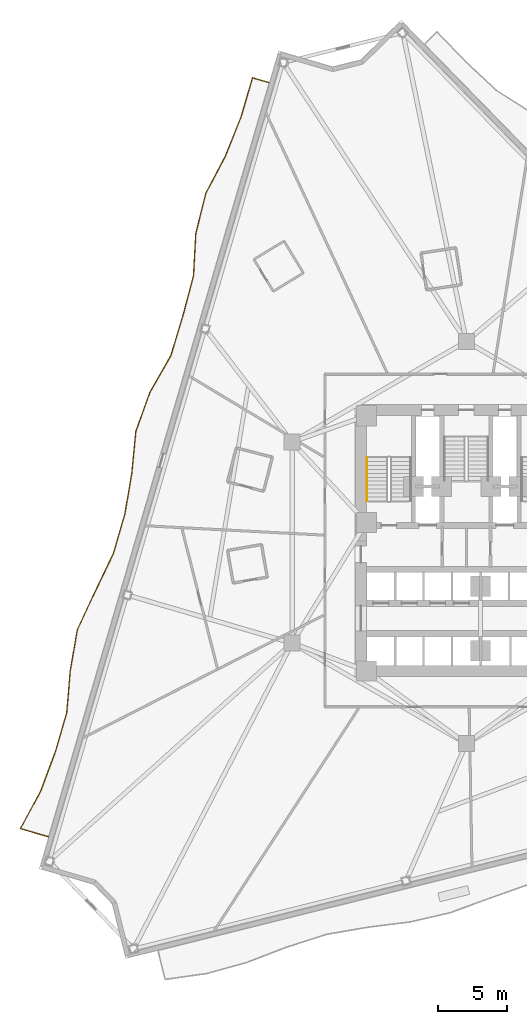
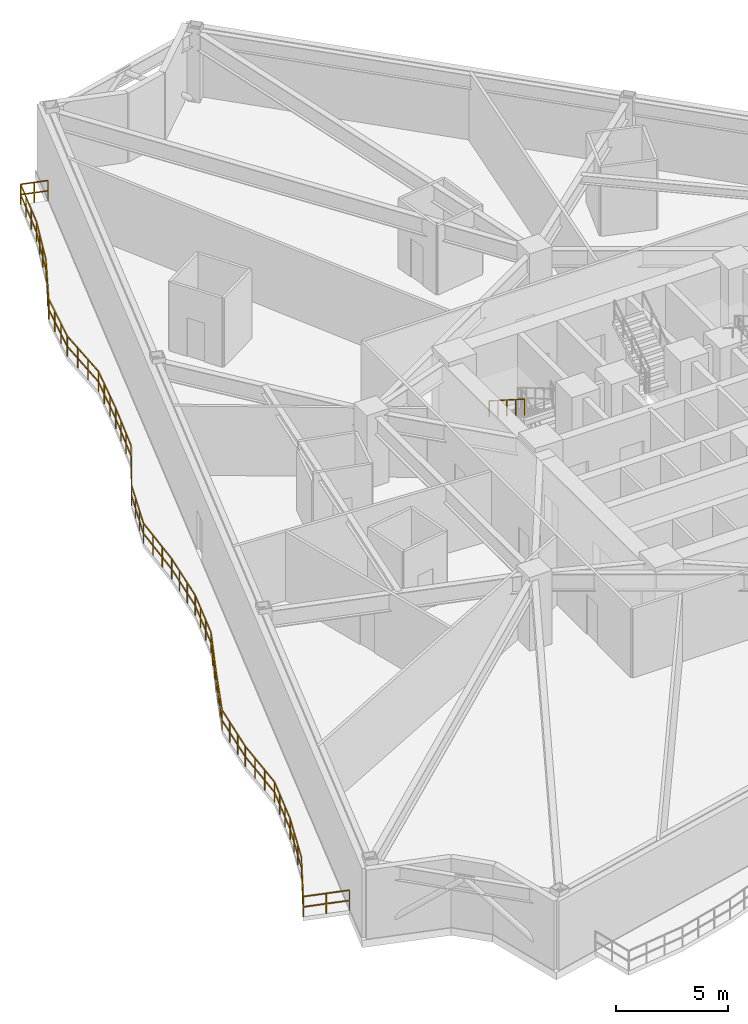
# One storey, part 11 of 13: 2 railings.
"""IFC4 building model written with IfcOpenShell, lengths in metres."""

from ifc_helpers import new_model, si_unit, direction, frame, origin, origin_2d, place, context, subcontext, project, spatial, rectangle, extrude, material, type_object, element, save


model = new_model("IFC4")

# Units and contexts
model_context = context("Model", 3, precision=1e-05, world=origin(), true_north=direction((0.0, 1.0)))
body_context = subcontext(model_context, "Body", "Model", "MODEL_VIEW")
ifc_project = project(units=[si_unit("LENGTHUNIT", "METRE"), si_unit("AREAUNIT", "SQUARE_METRE"), si_unit("VOLUMEUNIT", "CUBIC_METRE"), si_unit("PLANEANGLEUNIT", "RADIAN"), si_unit("MASSUNIT", "GRAM", prefix="KILO")], contexts=[model_context])

# Site, building, storey
site_placement = place(None, origin())
site = spatial("IfcSite", under=ifc_project, at=site_placement, CompositionType="ELEMENT")
building_placement = place(site_placement, origin())
building = spatial("IfcBuilding", under=site, at=building_placement, Name="Apsidion Concourse Tower", CompositionType="ELEMENT")
storey_placement = place(building_placement, frame((0.0, 0.0, 95.0)))
storey = spatial("IfcBuildingStorey", under=building, at=storey_placement, Name="L21", CompositionType="ELEMENT", Elevation=95.0)

# Railings
ifc_material = material(Name="Brushed stainless steel 316", Category="steel")
railing_type_1 = type_object("IfcRailingType", Name="RL-BAL-1120", PredefinedType="BALUSTRADE", material=ifc_material)
railing_1_placement = place(storey_placement, frame((-30.13330078125, -21.2216796875, 0.0)))
element("IfcRailing", 1, at=railing_1_placement, inside=storey, type_object=railing_type_1, Name="L21 Face 1 Rippling Balcony Balustrade", PredefinedType="BALUSTRADE", context=body_context, shape_type="SweptSolid", body=[
    extrude(rectangle(XDim=0.048095703125, YDim=0.048095703125, at=origin_2d()), frame((0.0, 0.0, 1.09619140625), z_axis=(-0.959814826104, 0.280634102687, 0.0), x_axis=(-0.280634102687, -0.959814826104, 0.0)), (0.0, 0.0, 1.0), 2.114013671875),
    extrude(rectangle(XDim=0.048095703125, YDim=0.048095703125, at=origin_2d()), frame((0.0, 0.0, 0.5361328125), z_axis=(-0.959814826104, 0.280634102687, 0.0), x_axis=(-0.280634102687, -0.959814826104, 0.0)), (0.0, 0.0, 1.0), 2.114013671875),
    extrude(rectangle(XDim=0.048095703125, YDim=0.048095703125, at=origin_2d()), frame((-2.029052734375, 0.59326171875, 1.09619140625), z_axis=(0.476540879127, 0.879152313607, 0.0), x_axis=(-0.879152313607, 0.476540879127, 0.0)), (0.0, 0.0, 1.0), 3.05126953125),
    extrude(rectangle(XDim=0.048095703125, YDim=0.048095703125, at=origin_2d()), frame((-2.029052734375, 0.59326171875, 0.5361328125), z_axis=(0.476540879127, 0.879152313607, 0.0), x_axis=(-0.879152313607, 0.476540879127, 0.0)), (0.0, 0.0, 1.0), 3.05126953125),
    extrude(rectangle(XDim=0.048095703125, YDim=0.048095703125, at=origin_2d()), frame((-0.574951171875, 3.27587890625, 1.09619140625), z_axis=(0.351123441588, 0.936329177569, 0.0), x_axis=(-0.936329177569, 0.351123441588, 0.0)), (0.0, 0.0, 1.0), 2.9912109375),
    extrude(rectangle(XDim=0.048095703125, YDim=0.048095703125, at=origin_2d()), frame((-0.574951171875, 3.27587890625, 0.5361328125), z_axis=(0.351123441588, 0.936329177569, 0.0), x_axis=(-0.936329177569, 0.351123441588, 0.0)), (0.0, 0.0, 1.0), 2.9912109375),
    extrude(rectangle(XDim=0.048095703125, YDim=0.048095703125, at=origin_2d()), frame((0.475341796875, 6.07666015625, 1.09619140625), z_axis=(0.2808013033, 0.95976592358, 0.0), x_axis=(-0.95976592358, 0.2808013033, 0.0)), (0.0, 0.0, 1.0), 2.983154296875),
    extrude(rectangle(XDim=0.048095703125, YDim=0.048095703125, at=origin_2d()), frame((0.475341796875, 6.07666015625, 0.5361328125), z_axis=(0.2808013033, 0.95976592358, 0.0), x_axis=(-0.95976592358, 0.2808013033, 0.0)), (0.0, 0.0, 1.0), 2.983154296875),
    extrude(rectangle(XDim=0.048095703125, YDim=0.048095703125, at=origin_2d()), frame((1.31298828125, 8.939697265625, 1.09619140625), z_axis=(0.083483505129, 0.996509159201, 0.0), x_axis=(-0.996509159201, 0.083483505129, 0.0)), (0.0, 0.0, 1.0), 3.04443359375),
    extrude(rectangle(XDim=0.048095703125, YDim=0.048095703125, at=origin_2d()), frame((1.31298828125, 8.939697265625, 0.5361328125), z_axis=(0.083483505129, 0.996509159201, 0.0), x_axis=(-0.996509159201, 0.083483505129, 0.0)), (0.0, 0.0, 1.0), 3.04443359375),
    extrude(rectangle(XDim=0.048095703125, YDim=0.048095703125, at=origin_2d()), frame((1.567138671875, 11.973388671875, 1.09619140625), z_axis=(0.170462471004, 0.985364169218, 0.0), x_axis=(-0.985364169218, 0.170462471004, 0.0)), (0.0, 0.0, 1.0), 3.001953125),
    extrude(rectangle(XDim=0.048095703125, YDim=0.048095703125, at=origin_2d()), frame((1.567138671875, 11.973388671875, 0.5361328125), z_axis=(0.170462471004, 0.985364169218, 0.0), x_axis=(-0.985364169218, 0.170462471004, 0.0)), (0.0, 0.0, 1.0), 3.001953125),
    extrude(rectangle(XDim=0.048095703125, YDim=0.048095703125, at=origin_2d()), frame((2.078857421875, 14.931396484375, 1.09619140625), z_axis=(0.421263458508, 0.90693831021, 0.0), x_axis=(-0.90693831021, 0.421263458508, 0.0)), (0.0, 0.0, 1.0), 3.01708984375),
    extrude(rectangle(XDim=0.048095703125, YDim=0.048095703125, at=origin_2d()), frame((2.078857421875, 14.931396484375, 0.5361328125), z_axis=(0.421263458508, 0.90693831021, 0.0), x_axis=(-0.90693831021, 0.421263458508, 0.0)), (0.0, 0.0, 1.0), 3.01708984375),
    extrude(rectangle(XDim=0.048095703125, YDim=0.048095703125, at=origin_2d()), frame((3.349853515625, 17.667724609375, 1.09619140625), z_axis=(0.434216125707, 0.900808723412, 0.0), x_axis=(-0.900808723412, 0.434216125707, 0.0)), (0.0, 0.0, 1.0), 3.02392578125),
    extrude(rectangle(XDim=0.048095703125, YDim=0.048095703125, at=origin_2d()), frame((3.349853515625, 17.667724609375, 0.5361328125), z_axis=(0.434216125707, 0.900808723412, 0.0), x_axis=(-0.900808723412, 0.434216125707, 0.0)), (0.0, 0.0, 1.0), 3.02392578125),
    extrude(rectangle(XDim=0.048095703125, YDim=0.048095703125, at=origin_2d()), frame((4.662841796875, 20.3916015625, 1.09619140625), z_axis=(0.280823361776, 0.959759469597, 0.0), x_axis=(-0.959759469597, 0.280823361776, 0.0)), (0.0, 0.0, 1.0), 2.98291015625),
    extrude(rectangle(XDim=0.048095703125, YDim=0.048095703125, at=origin_2d()), frame((4.662841796875, 20.3916015625, 0.5361328125), z_axis=(0.280823361776, 0.959759469597, 0.0), x_axis=(-0.959759469597, 0.280823361776, 0.0)), (0.0, 0.0, 1.0), 2.98291015625),
    extrude(rectangle(XDim=0.048095703125, YDim=0.048095703125, at=origin_2d()), frame((5.50048828125, 23.25439453125, 1.09619140625), z_axis=(0.169117269989, 0.985595935965, 0.0), x_axis=(-0.985595935965, 0.169117269989, 0.0)), (0.0, 0.0, 1.0), 3.002685546875),
    extrude(rectangle(XDim=0.048095703125, YDim=0.048095703125, at=origin_2d()), frame((5.50048828125, 23.25439453125, 0.5361328125), z_axis=(0.169117269989, 0.985595935965, 0.0), x_axis=(-0.985595935965, 0.169117269989, 0.0)), (0.0, 0.0, 1.0), 3.002685546875),
    extrude(rectangle(XDim=0.048095703125, YDim=0.048095703125, at=origin_2d()), frame((6.00830078125, 26.2138671875, 1.09619140625), z_axis=(0.095340181955, 0.9954447497, 0.0), x_axis=(-0.9954447497, 0.095340181955, 0.0)), (0.0, 0.0, 1.0), 3.037109375),
    extrude(rectangle(XDim=0.048095703125, YDim=0.048095703125, at=origin_2d()), frame((6.00830078125, 26.2138671875, 0.5361328125), z_axis=(0.095340181955, 0.9954447497, 0.0), x_axis=(-0.9954447497, 0.095340181955, 0.0)), (0.0, 0.0, 1.0), 3.037109375),
    extrude(rectangle(XDim=0.048095703125, YDim=0.048095703125, at=origin_2d()), frame((6.2978515625, 29.237060546875, 1.09619140625), z_axis=(0.338054020401, 0.941126707352, 0.0), x_axis=(-0.941126707352, 0.338054020401, 0.0)), (0.0, 0.0, 1.0), 2.988525390625),
    extrude(rectangle(XDim=0.048095703125, YDim=0.048095703125, at=origin_2d()), frame((6.2978515625, 29.237060546875, 0.5361328125), z_axis=(0.338054020401, 0.941126707352, 0.0), x_axis=(-0.941126707352, 0.338054020401, 0.0)), (0.0, 0.0, 1.0), 2.988525390625),
    extrude(rectangle(XDim=0.048095703125, YDim=0.048095703125, at=origin_2d()), frame((7.30810546875, 32.049560546875, 1.09619140625), z_axis=(0.495675882611, 0.868507581658, 0.0), x_axis=(-0.868507581658, 0.495675882611, 0.0)), (0.0, 0.0, 1.0), 3.066650390625),
    extrude(rectangle(XDim=0.048095703125, YDim=0.048095703125, at=origin_2d()), frame((7.30810546875, 32.049560546875, 0.5361328125), z_axis=(0.495675882611, 0.868507581658, 0.0), x_axis=(-0.868507581658, 0.495675882611, 0.0)), (0.0, 0.0, 1.0), 3.066650390625),
    extrude(rectangle(XDim=0.048095703125, YDim=0.048095703125, at=origin_2d()), frame((8.828125, 34.712890625, 1.09619140625), z_axis=(0.288271366529, 0.957548755542, 0.0), x_axis=(-0.957548755542, 0.288271366529, 0.0)), (0.0, 0.0, 1.0), 2.98291015625),
    extrude(rectangle(XDim=0.048095703125, YDim=0.048095703125, at=origin_2d()), frame((8.828125, 34.712890625, 0.5361328125), z_axis=(0.288271366529, 0.957548755542, 0.0), x_axis=(-0.957548755542, 0.288271366529, 0.0)), (0.0, 0.0, 1.0), 2.98291015625),
    extrude(rectangle(XDim=0.048095703125, YDim=0.048095703125, at=origin_2d()), frame((9.68798828125, 37.569091796875, 1.09619140625), z_axis=(0.2576575579, 0.96623629763, 0.0), x_axis=(-0.96623629763, 0.2576575579, 0.0)), (0.0, 0.0, 1.0), 2.98388671875),
    extrude(rectangle(XDim=0.048095703125, YDim=0.048095703125, at=origin_2d()), frame((9.68798828125, 37.569091796875, 0.5361328125), z_axis=(0.2576575579, 0.96623629763, 0.0), x_axis=(-0.96623629763, 0.2576575579, 0.0)), (0.0, 0.0, 1.0), 2.98388671875),
    extrude(rectangle(XDim=0.048095703125, YDim=0.048095703125, at=origin_2d()), frame((10.456787109375, 40.4521484375, 1.09619140625), z_axis=(0.054022496751, 0.998539718712, 0.0), x_axis=(-0.998539718712, 0.054022496751, 0.0)), (0.0, 0.0, 1.0), 3.06396484375),
    extrude(rectangle(XDim=0.048095703125, YDim=0.048095703125, at=origin_2d()), frame((10.456787109375, 40.4521484375, 0.5361328125), z_axis=(0.054022496751, 0.998539718712, 0.0), x_axis=(-0.998539718712, 0.054022496751, 0.0)), (0.0, 0.0, 1.0), 3.06396484375),
    extrude(rectangle(XDim=0.048095703125, YDim=0.048095703125, at=origin_2d()), frame((10.622314453125, 43.51171875, 1.09619140625), z_axis=(0.240822814922, 0.970569096877, 0.0), x_axis=(-0.970569096877, 0.240822814922, 0.0)), (0.0, 0.0, 1.0), 2.985595703125),
    extrude(rectangle(XDim=0.048095703125, YDim=0.048095703125, at=origin_2d()), frame((10.622314453125, 43.51171875, 0.5361328125), z_axis=(0.240822814922, 0.970569096877, 0.0), x_axis=(-0.970569096877, 0.240822814922, 0.0)), (0.0, 0.0, 1.0), 2.985595703125),
    extrude(rectangle(XDim=0.048095703125, YDim=0.048095703125, at=origin_2d()), frame((11.34130859375, 46.409423828125, 1.09619140625), z_axis=(0.465663776984, 0.884961720531, 0.0), x_axis=(-0.884961720531, 0.465663776984, 0.0)), (0.0, 0.0, 1.0), 3.04345703125),
    extrude(rectangle(XDim=0.048095703125, YDim=0.048095703125, at=origin_2d()), frame((11.34130859375, 46.409423828125, 0.5361328125), z_axis=(0.465663776984, 0.884961720531, 0.0), x_axis=(-0.884961720531, 0.465663776984, 0.0)), (0.0, 0.0, 1.0), 3.04345703125),
    extrude(rectangle(XDim=0.048095703125, YDim=0.048095703125, at=origin_2d()), frame((12.758544921875, 49.102783203125, 1.09619140625), z_axis=(0.372696537499, 0.927953280579, 0.0), x_axis=(-0.927953280579, 0.372696537499, 0.0)), (0.0, 0.0, 1.0), 2.996826171875),
    extrude(rectangle(XDim=0.048095703125, YDim=0.048095703125, at=origin_2d()), frame((12.758544921875, 49.102783203125, 0.5361328125), z_axis=(0.372696537499, 0.927953280579, 0.0), x_axis=(-0.927953280579, 0.372696537499, 0.0)), (0.0, 0.0, 1.0), 2.996826171875),
    extrude(rectangle(XDim=0.048095703125, YDim=0.048095703125, at=origin_2d()), frame((13.87548828125, 51.8837890625, 1.09619140625), z_axis=(0.2808013033, 0.95976592358, 0.0), x_axis=(-0.95976592358, 0.2808013033, 0.0)), (0.0, 0.0, 1.0), 2.983154296875),
    extrude(rectangle(XDim=0.048095703125, YDim=0.048095703125, at=origin_2d()), frame((13.87548828125, 51.8837890625, 0.5361328125), z_axis=(0.2808013033, 0.95976592358, 0.0), x_axis=(-0.95976592358, 0.2808013033, 0.0)), (0.0, 0.0, 1.0), 2.983154296875),
    extrude(rectangle(XDim=0.048095703125, YDim=0.048095703125, at=origin_2d()), frame((14.713134765625, 54.746826171875, 1.09619140625), z_axis=(0.959802880035, -0.280674956982, 0.0), x_axis=(0.280674956982, 0.959802880035, 0.0)), (0.0, 0.0, 1.0), 1.25),
    extrude(rectangle(XDim=0.048095703125, YDim=0.048095703125, at=origin_2d()), frame((14.713134765625, 54.746826171875, 0.5361328125), z_axis=(0.959802880035, -0.280674956982, 0.0), x_axis=(0.280674956982, 0.959802880035, 0.0)), (0.0, 0.0, 1.0), 1.25),
    extrude(rectangle(XDim=0.0419921875, YDim=0.0419921875, at=origin_2d()), origin(), (0.0, 0.0, 1.0), 1.072021484375),
    extrude(rectangle(XDim=0.0419921875, YDim=0.0419921875, at=origin_2d()), frame((-1.0146484375, 0.296630859375, 0.0)), (0.0, 0.0, 1.0), 1.072021484375),
    extrude(rectangle(XDim=0.0419921875, YDim=0.0419921875, at=origin_2d()), frame((-2.029052734375, 0.59326171875, 0.0)), (0.0, 0.0, 1.0), 1.072021484375),
    extrude(rectangle(XDim=0.0419921875, YDim=0.0419921875, at=origin_2d()), frame((-1.54443359375, 1.487548828125, 0.0)), (0.0, 0.0, 1.0), 1.072021484375),
    extrude(rectangle(XDim=0.0419921875, YDim=0.0419921875, at=origin_2d()), frame((-1.0595703125, 2.381591796875, 0.0)), (0.0, 0.0, 1.0), 1.072021484375),
    extrude(rectangle(XDim=0.0419921875, YDim=0.0419921875, at=origin_2d()), frame((-0.574951171875, 3.27587890625, 0.0)), (0.0, 0.0, 1.0), 1.072021484375),
    extrude(rectangle(XDim=0.0419921875, YDim=0.0419921875, at=origin_2d()), frame((-0.224853515625, 4.20947265625, 0.0)), (0.0, 0.0, 1.0), 1.072021484375),
    extrude(rectangle(XDim=0.0419921875, YDim=0.0419921875, at=origin_2d()), frame((0.125244140625, 5.14306640625, 0.0)), (0.0, 0.0, 1.0), 1.072021484375),
    extrude(rectangle(XDim=0.0419921875, YDim=0.0419921875, at=origin_2d()), frame((0.475341796875, 6.07666015625, 0.0)), (0.0, 0.0, 1.0), 1.072021484375),
    extrude(rectangle(XDim=0.0419921875, YDim=0.0419921875, at=origin_2d()), frame((0.754638671875, 7.031005859375, 0.0)), (0.0, 0.0, 1.0), 1.072021484375),
    extrude(rectangle(XDim=0.0419921875, YDim=0.0419921875, at=origin_2d()), frame((1.03369140625, 7.9853515625, 0.0)), (0.0, 0.0, 1.0), 1.072021484375),
    extrude(rectangle(XDim=0.0419921875, YDim=0.0419921875, at=origin_2d()), frame((1.31298828125, 8.939697265625, 0.0)), (0.0, 0.0, 1.0), 1.072021484375),
    extrude(rectangle(XDim=0.0419921875, YDim=0.0419921875, at=origin_2d()), frame((1.397705078125, 9.950927734375, 0.0)), (0.0, 0.0, 1.0), 1.072021484375),
    extrude(rectangle(XDim=0.0419921875, YDim=0.0419921875, at=origin_2d()), frame((1.482421875, 10.962158203125, 0.0)), (0.0, 0.0, 1.0), 1.072021484375),
    extrude(rectangle(XDim=0.0419921875, YDim=0.0419921875, at=origin_2d()), frame((1.567138671875, 11.973388671875, 0.0)), (0.0, 0.0, 1.0), 1.072021484375),
    extrude(rectangle(XDim=0.0419921875, YDim=0.0419921875, at=origin_2d()), frame((1.73779296875, 12.95947265625, 0.0)), (0.0, 0.0, 1.0), 1.072021484375),
    extrude(rectangle(XDim=0.0419921875, YDim=0.0419921875, at=origin_2d()), frame((1.908203125, 13.9453125, 0.0)), (0.0, 0.0, 1.0), 1.072021484375),
    extrude(rectangle(XDim=0.0419921875, YDim=0.0419921875, at=origin_2d()), frame((2.078857421875, 14.931396484375, 0.0)), (0.0, 0.0, 1.0), 1.072021484375),
    extrude(rectangle(XDim=0.0419921875, YDim=0.0419921875, at=origin_2d()), frame((2.50244140625, 15.843505859375, 0.0)), (0.0, 0.0, 1.0), 1.072021484375),
    extrude(rectangle(XDim=0.0419921875, YDim=0.0419921875, at=origin_2d()), frame((2.92626953125, 16.755615234375, 0.0)), (0.0, 0.0, 1.0), 1.072021484375),
    extrude(rectangle(XDim=0.0419921875, YDim=0.0419921875, at=origin_2d()), frame((3.349853515625, 17.667724609375, 0.0)), (0.0, 0.0, 1.0), 1.072021484375),
    extrude(rectangle(XDim=0.0419921875, YDim=0.0419921875, at=origin_2d()), frame((3.78759765625, 18.57568359375, 0.0)), (0.0, 0.0, 1.0), 1.072021484375),
    extrude(rectangle(XDim=0.0419921875, YDim=0.0419921875, at=origin_2d()), frame((4.22509765625, 19.483642578125, 0.0)), (0.0, 0.0, 1.0), 1.072021484375),
    extrude(rectangle(XDim=0.0419921875, YDim=0.0419921875, at=origin_2d()), frame((4.662841796875, 20.3916015625, 0.0)), (0.0, 0.0, 1.0), 1.072021484375),
    extrude(rectangle(XDim=0.0419921875, YDim=0.0419921875, at=origin_2d()), frame((4.942138671875, 21.345947265625, 0.0)), (0.0, 0.0, 1.0), 1.072021484375),
    extrude(rectangle(XDim=0.0419921875, YDim=0.0419921875, at=origin_2d()), frame((5.22119140625, 22.300048828125, 0.0)), (0.0, 0.0, 1.0), 1.072021484375),
    extrude(rectangle(XDim=0.0419921875, YDim=0.0419921875, at=origin_2d()), frame((5.50048828125, 23.25439453125, 0.0)), (0.0, 0.0, 1.0), 1.072021484375),
    extrude(rectangle(XDim=0.0419921875, YDim=0.0419921875, at=origin_2d()), frame((5.669677734375, 24.240966796875, 0.0)), (0.0, 0.0, 1.0), 1.072021484375),
    extrude(rectangle(XDim=0.0419921875, YDim=0.0419921875, at=origin_2d()), frame((5.839111328125, 25.227294921875, 0.0)), (0.0, 0.0, 1.0), 1.072021484375),
    extrude(rectangle(XDim=0.0419921875, YDim=0.0419921875, at=origin_2d()), frame((6.00830078125, 26.2138671875, 0.0)), (0.0, 0.0, 1.0), 1.072021484375),
    extrude(rectangle(XDim=0.0419921875, YDim=0.0419921875, at=origin_2d()), frame((6.104736328125, 27.2216796875, 0.0)), (0.0, 0.0, 1.0), 1.072021484375),
    extrude(rectangle(XDim=0.0419921875, YDim=0.0419921875, at=origin_2d()), frame((6.201416015625, 28.229248046875, 0.0)), (0.0, 0.0, 1.0), 1.072021484375),
    extrude(rectangle(XDim=0.0419921875, YDim=0.0419921875, at=origin_2d()), frame((6.2978515625, 29.237060546875, 0.0)), (0.0, 0.0, 1.0), 1.072021484375),
    extrude(rectangle(XDim=0.0419921875, YDim=0.0419921875, at=origin_2d()), frame((6.634521484375, 30.174560546875, 0.0)), (0.0, 0.0, 1.0), 1.072021484375),
    extrude(rectangle(XDim=0.0419921875, YDim=0.0419921875, at=origin_2d()), frame((6.971435546875, 31.112060546875, 0.0)), (0.0, 0.0, 1.0), 1.072021484375),
    extrude(rectangle(XDim=0.0419921875, YDim=0.0419921875, at=origin_2d()), frame((7.30810546875, 32.049560546875, 0.0)), (0.0, 0.0, 1.0), 1.072021484375),
    extrude(rectangle(XDim=0.0419921875, YDim=0.0419921875, at=origin_2d()), frame((7.814697265625, 32.937255859375, 0.0)), (0.0, 0.0, 1.0), 1.072021484375),
    extrude(rectangle(XDim=0.0419921875, YDim=0.0419921875, at=origin_2d()), frame((8.321533203125, 33.8251953125, 0.0)), (0.0, 0.0, 1.0), 1.072021484375),
    extrude(rectangle(XDim=0.0419921875, YDim=0.0419921875, at=origin_2d()), frame((8.828125, 34.712890625, 0.0)), (0.0, 0.0, 1.0), 1.072021484375),
    extrude(rectangle(XDim=0.0419921875, YDim=0.0419921875, at=origin_2d()), frame((9.11474609375, 35.6650390625, 0.0)), (0.0, 0.0, 1.0), 1.072021484375),
    extrude(rectangle(XDim=0.0419921875, YDim=0.0419921875, at=origin_2d()), frame((9.4013671875, 36.616943359375, 0.0)), (0.0, 0.0, 1.0), 1.072021484375),
    extrude(rectangle(XDim=0.0419921875, YDim=0.0419921875, at=origin_2d()), frame((9.68798828125, 37.569091796875, 0.0)), (0.0, 0.0, 1.0), 1.072021484375),
    extrude(rectangle(XDim=0.0419921875, YDim=0.0419921875, at=origin_2d()), frame((9.9443359375, 38.530029296875, 0.0)), (0.0, 0.0, 1.0), 1.072021484375),
    extrude(rectangle(XDim=0.0419921875, YDim=0.0419921875, at=origin_2d()), frame((10.200439453125, 39.4912109375, 0.0)), (0.0, 0.0, 1.0), 1.072021484375),
    extrude(rectangle(XDim=0.0419921875, YDim=0.0419921875, at=origin_2d()), frame((10.456787109375, 40.4521484375, 0.0)), (0.0, 0.0, 1.0), 1.072021484375),
    extrude(rectangle(XDim=0.0419921875, YDim=0.0419921875, at=origin_2d()), frame((10.511962890625, 41.471923828125, 0.0)), (0.0, 0.0, 1.0), 1.072021484375),
    extrude(rectangle(XDim=0.0419921875, YDim=0.0419921875, at=origin_2d()), frame((10.567138671875, 42.491943359375, 0.0)), (0.0, 0.0, 1.0), 1.072021484375),
    extrude(rectangle(XDim=0.0419921875, YDim=0.0419921875, at=origin_2d()), frame((10.622314453125, 43.51171875, 0.0)), (0.0, 0.0, 1.0), 1.072021484375),
    extrude(rectangle(XDim=0.0419921875, YDim=0.0419921875, at=origin_2d()), frame((10.862060546875, 44.4775390625, 0.0)), (0.0, 0.0, 1.0), 1.072021484375),
    extrude(rectangle(XDim=0.0419921875, YDim=0.0419921875, at=origin_2d()), frame((11.1015625, 45.443603515625, 0.0)), (0.0, 0.0, 1.0), 1.072021484375),
    extrude(rectangle(XDim=0.0419921875, YDim=0.0419921875, at=origin_2d()), frame((11.34130859375, 46.409423828125, 0.0)), (0.0, 0.0, 1.0), 1.072021484375),
    extrude(rectangle(XDim=0.0419921875, YDim=0.0419921875, at=origin_2d()), frame((11.813720703125, 47.30712890625, 0.0)), (0.0, 0.0, 1.0), 1.072021484375),
    extrude(rectangle(XDim=0.0419921875, YDim=0.0419921875, at=origin_2d()), frame((12.2861328125, 48.205078125, 0.0)), (0.0, 0.0, 1.0), 1.072021484375),
    extrude(rectangle(XDim=0.0419921875, YDim=0.0419921875, at=origin_2d()), frame((12.758544921875, 49.102783203125, 0.0)), (0.0, 0.0, 1.0), 1.072021484375),
    extrude(rectangle(XDim=0.0419921875, YDim=0.0419921875, at=origin_2d()), frame((13.130859375, 50.02978515625, 0.0)), (0.0, 0.0, 1.0), 1.072021484375),
    extrude(rectangle(XDim=0.0419921875, YDim=0.0419921875, at=origin_2d()), frame((13.503173828125, 50.956787109375, 0.0)), (0.0, 0.0, 1.0), 1.072021484375),
    extrude(rectangle(XDim=0.0419921875, YDim=0.0419921875, at=origin_2d()), frame((13.87548828125, 51.8837890625, 0.0)), (0.0, 0.0, 1.0), 1.072021484375),
    extrude(rectangle(XDim=0.0419921875, YDim=0.0419921875, at=origin_2d()), frame((14.15478515625, 52.838134765625, 0.0)), (0.0, 0.0, 1.0), 1.072021484375),
    extrude(rectangle(XDim=0.0419921875, YDim=0.0419921875, at=origin_2d()), frame((14.433837890625, 53.79248046875, 0.0)), (0.0, 0.0, 1.0), 1.072021484375),
    extrude(rectangle(XDim=0.0419921875, YDim=0.0419921875, at=origin_2d()), frame((14.713134765625, 54.746826171875, 0.0)), (0.0, 0.0, 1.0), 1.072021484375),
    extrude(rectangle(XDim=0.0419921875, YDim=0.0419921875, at=origin_2d()), frame((15.31298828125, 54.5712890625, 0.0)), (0.0, 0.0, 1.0), 1.072021484375),
    extrude(rectangle(XDim=0.0419921875, YDim=0.0419921875, at=origin_2d()), frame((15.912841796875, 54.39599609375, 0.0)), (0.0, 0.0, 1.0), 1.072021484375),
])
railing_type_2 = type_object("IfcRailingType", Name="RL-HAND-900", PredefinedType="HANDRAIL", material=ifc_material)
railing_2_placement = place(storey_placement, frame((-7.14990234375, 6.135009765625, 2.166748046875)))
element("IfcRailing", 2, at=railing_2_placement, inside=storey, type_object=railing_type_2, Name="L21 ST1 stair handrail 2", PredefinedType="HANDRAIL", context=body_context, shape_type="SweptSolid", body=[
    extrude(rectangle(XDim=0.048095703125, YDim=0.048095703125, at=origin_2d()), frame((0.0, 0.0, 0.8759765625), z_axis=(0.0, -0.843052688722, 0.537830980921), x_axis=(1.0, 0.0, 0.0)), (0.0, 0.0, 1.0), 3.71875),
    extrude(rectangle(XDim=0.0419921875, YDim=0.0419921875, at=origin_2d()), origin(), (0.0, 0.0, 1.0), 0.851806640625),
    extrude(rectangle(XDim=0.0419921875, YDim=0.0419921875, at=origin_2d()), frame((0.0, -0.78369140625, 0.5)), (0.0, 0.0, 1.0), 0.851806640625),
    extrude(rectangle(XDim=0.0419921875, YDim=0.0419921875, at=origin_2d()), frame((0.0, -1.5673828125, 1.0)), (0.0, 0.0, 1.0), 0.851806640625),
    extrude(rectangle(XDim=0.0419921875, YDim=0.0419921875, at=origin_2d()), frame((0.0, -2.351318359375, 1.5)), (0.0, 0.0, 1.0), 0.851806640625),
    extrude(rectangle(XDim=0.0419921875, YDim=0.0419921875, at=origin_2d()), frame((0.0, -3.135009765625, 2.0)), (0.0, 0.0, 1.0), 0.851806640625),
])

save(model, "model.ifc")
